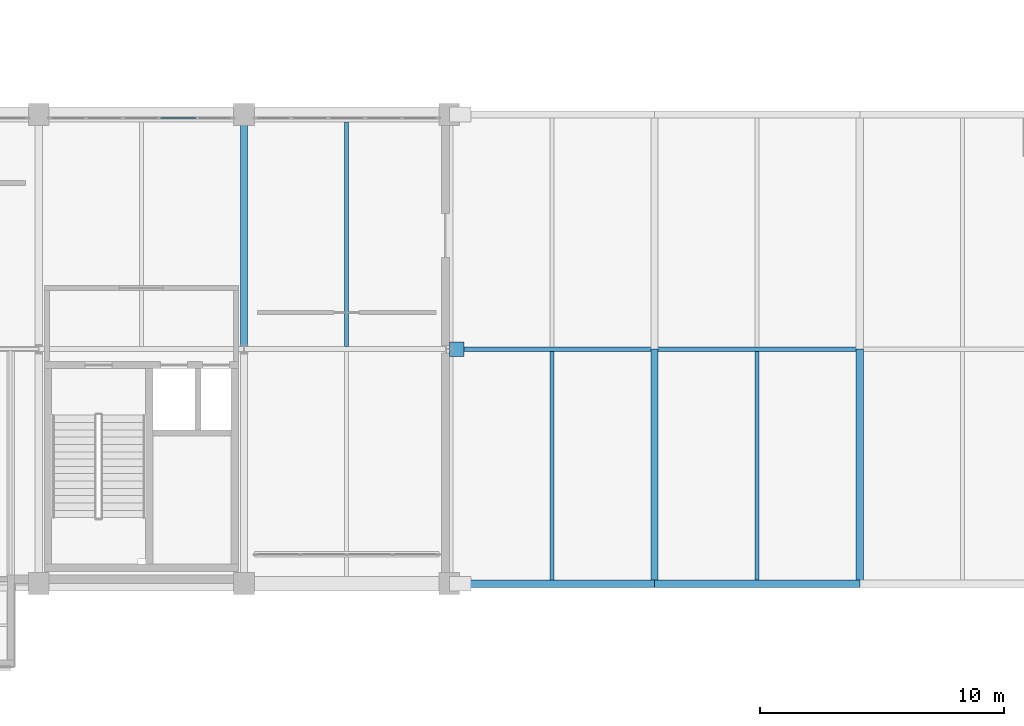
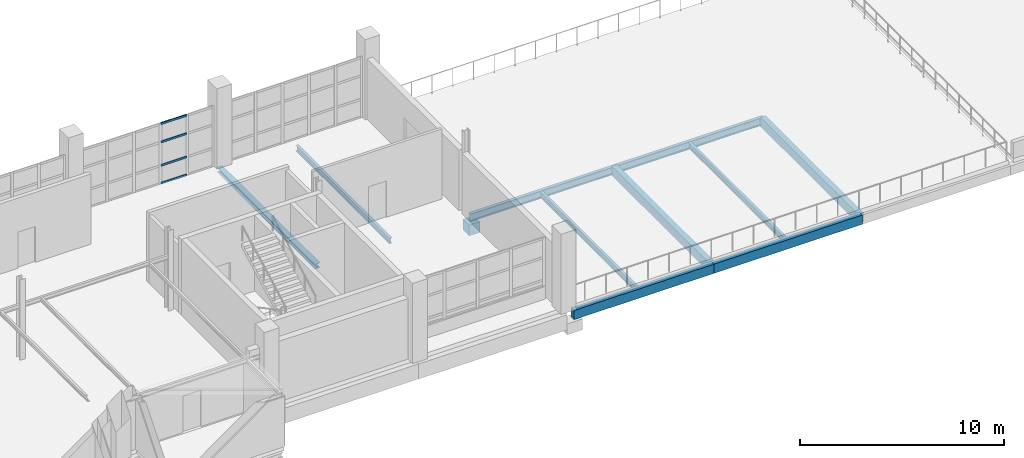
# One storey, part 17 of 29: 11 beams, 4 members, 1 element without a shape of its own.
"""IFC4 building model written with IfcOpenShell, lengths in metres."""

from ifc_helpers import new_model, si_unit, direction, frame, origin, origin_2d, place, context, subcontext, project, spatial, rectangle, hollow_rectangle, i_section, extrude, material, material_profile, profile_set, type_object, element, aggregate, save


model = new_model("IFC4")

# Units and contexts
model_context = context("Model", 3, precision=1e-05, world=origin(), true_north=direction((0.0, 1.0)))
body_context = subcontext(model_context, "Body", "Model", "MODEL_VIEW")
ifc_project = project(units=[si_unit("LENGTHUNIT", "METRE"), si_unit("AREAUNIT", "SQUARE_METRE"), si_unit("VOLUMEUNIT", "CUBIC_METRE"), si_unit("PLANEANGLEUNIT", "RADIAN"), si_unit("MASSUNIT", "GRAM", prefix="KILO")], contexts=[model_context])

# Site, building, storey
site_placement = place(None, origin())
site = spatial("IfcSite", under=ifc_project, at=site_placement, CompositionType="ELEMENT")
building_placement = place(site_placement, origin())
building = spatial("IfcBuilding", under=site, at=building_placement, Name="Veltarok Museum of Natural Sciences", CompositionType="ELEMENT")
storey_placement = place(building_placement, frame((0.0, 0.0, 26.39990234375)))
storey = spatial("IfcBuildingStorey", under=building, at=storey_placement, Name="L05", CompositionType="ELEMENT", Elevation=26.39990234375)

# Curtain wall, members
ifc_material_1 = material(Name="Low-iron triple insulated glass", Category="glass")
curtain_wall_type = type_object("IfcCurtainWallType", Name="Curtain Wall System CW-V1N-L05-755x362 (V1 North Overlook L05 755x362cm)", PredefinedType="NOTDEFINED", material=ifc_material_1)
curtain_wall_placement = place(storey_placement, origin())
curtain_wall = element("IfcCurtainWall", 1, at=curtain_wall_placement, inside=storey, type_object=curtain_wall_type, Name="Curtain Wall CW-V1N-L05-755x362 CW-0018", PredefinedType="NOTDEFINED")
ifc_material_2 = material(Name="Thermally broken anodised aluminium", Category="aluminium")
ifc_material_profile_1 = material_profile(ifc_material_2, hollow_rectangle(XDim=0.06005859375, YDim=0.1201171875, WallThickness=0.0048828125, at=origin_2d()), Name="CW TRANSOM 60x120x5")
ifc_profile_set_1 = profile_set([ifc_material_profile_1], Name="Thermally broken anodised aluminium")
member_type = type_object("IfcMemberType", Name="Curtain Wall Horizontal Transom 60x120x5", PredefinedType="USERDEFINED", material=ifc_profile_set_1)
member_1_placement = place(storey_placement, frame((96.8349609375, 19.050048828125, 0.030029296875), z_axis=(-1.0, 0.0, 0.0), x_axis=(0.0, -1.0, 0.0)))
member_1 = element("IfcMember", 2, at=member_1_placement, type_object=member_type, Name="CW-V1N-L05-755x362 transom 2.1", ObjectType="TRANSOM", PredefinedType="USERDEFINED", context=body_context, shape_type="SweptSolid", body=[
    extrude(hollow_rectangle(XDim=0.06005859375, YDim=0.1201171875, WallThickness=0.0048828125, at=origin_2d()), origin(), (0.0, 0.0, 1.0), 1.449951171875),
])
member_2_placement = place(storey_placement, frame((96.8349609375, 19.050048828125, 1.10009765625), z_axis=(-1.0, 0.0, 0.0), x_axis=(0.0, -1.0, 0.0)))
member_2 = element("IfcMember", 3, at=member_2_placement, type_object=member_type, Name="CW-V1N-L05-755x362 transom 2.2", ObjectType="TRANSOM", PredefinedType="USERDEFINED", context=body_context, shape_type="SweptSolid", body=[
    extrude(hollow_rectangle(XDim=0.06005859375, YDim=0.1201171875, WallThickness=0.0048828125, at=origin_2d()), origin(), (0.0, 0.0, 1.0), 1.449951171875),
])
member_3_placement = place(storey_placement, frame((96.8349609375, 19.050048828125, 2.5), z_axis=(-1.0, 0.0, 0.0), x_axis=(0.0, -1.0, 0.0)))
member_3 = element("IfcMember", 4, at=member_3_placement, type_object=member_type, Name="CW-V1N-L05-755x362 transom 2.3", ObjectType="TRANSOM", PredefinedType="USERDEFINED", context=body_context, shape_type="SweptSolid", body=[
    extrude(hollow_rectangle(XDim=0.06005859375, YDim=0.1201171875, WallThickness=0.0048828125, at=origin_2d()), origin(), (0.0, 0.0, 1.0), 1.449951171875),
])
member_4_placement = place(storey_placement, frame((96.8349609375, 19.050048828125, 3.590087890625), z_axis=(-1.0, 0.0, 0.0), x_axis=(0.0, -1.0, 0.0)))
member_4 = element("IfcMember", 5, at=member_4_placement, type_object=member_type, Name="CW-V1N-L05-755x362 transom 2.4", ObjectType="TRANSOM", PredefinedType="USERDEFINED", context=body_context, shape_type="SweptSolid", body=[
    extrude(hollow_rectangle(XDim=0.06005859375, YDim=0.1201171875, WallThickness=0.0048828125, at=origin_2d()), origin(), (0.0, 0.0, 1.0), 1.449951171875),
])
aggregate(curtain_wall, [member_1, member_2, member_3, member_4])

# Beams
ifc_material_3 = material(Name="Precast concrete C40/50", Category="concrete")
ifc_material_profile_2 = material_profile(ifc_material_3, rectangle(XDim=0.300048828125, YDim=0.550048828125, at=origin_2d()), Name="RC 300x550")
ifc_profile_set_2 = profile_set([ifc_material_profile_2], Name="Precast concrete C40/50")
beam_type_1 = type_object("IfcBeamType", Name="East Wing Precast Spandrel RC 300x550", PredefinedType="SPANDREL", material=ifc_profile_set_2)
beam_1_placement = place(storey_placement, frame((107.675048828125, 0.0, -0.534912109375), z_axis=(1.0, 0.0, 0.0), x_axis=(0.0, 1.0, 0.0)))
element("IfcBeam", 6, at=beam_1_placement, inside=storey, type_object=beam_type_1, Name="Beam BM-SP02 L05 13-14/A", PredefinedType="SPANDREL", context=body_context, shape_type="SweptSolid", body=[
    extrude(rectangle(XDim=0.300048828125, YDim=0.550048828125, at=origin_2d()), origin(), (0.0, 0.0, 1.0), 7.925048828125),
])
beam_2_placement = place(storey_placement, frame((115.60009765625, 0.0, -0.534912109375), z_axis=(1.0, 0.0, 0.0), x_axis=(0.0, 1.0, 0.0)))
element("IfcBeam", 7, at=beam_2_placement, inside=storey, type_object=beam_type_1, Name="Beam BM-SP02 L05 14-15/A", PredefinedType="SPANDREL", context=body_context, shape_type="SweptSolid", body=[
    extrude(rectangle(XDim=0.300048828125, YDim=0.550048828125, at=origin_2d()), origin(), (0.0, 0.0, 1.0), 8.39990234375),
])
for number, where, z_axis, x_axis, name in (
    (8, (115.60009765625, 0.0, -0.534912109375), (0.0, 1.0, 0.0), (-1.0, 0.0, 0.0), "Beam BM-SP02 L05 14/A-B"),
    (9, (124.0, 0.0, -0.534912109375), (0.0, 1.0, 0.0), (-1.0, 0.0, 0.0), "Beam BM-SP02 L05 15/A-B"),
):
    element("IfcBeam", number, at=place(storey_placement, frame(where, z_axis=z_axis, x_axis=x_axis)), inside=storey, type_object=beam_type_1, Name=name, PredefinedType="SPANDREL", context=body_context, shape_type="SweptSolid", body=[
        extrude(rectangle(XDim=0.300048828125, YDim=0.550048828125, at=origin_2d()), origin(), (0.0, 0.0, 1.0), 9.60009765625),
    ])
ifc_material_4 = material(Name="Steel S355J2", Category="steel")
ifc_material_profile_3 = material_profile(ifc_material_4, i_section(OverallWidth=0.300048828125, OverallDepth=0.2900390625, WebThickness=0.008544921875, FlangeThickness=0.013916015625, FilletRadius=0.027099609375, at=origin_2d()), Name="HEA 300")
ifc_profile_set_3 = profile_set([ifc_material_profile_3], Name="Steel S355J2")
beam_type_2 = type_object("IfcBeamType", Name="Glazed Hall Edge Spandrel HEA 300", PredefinedType="SPANDREL", material=ifc_profile_set_3)
beam_3_placement = place(storey_placement, frame((98.800048828125, 9.60009765625, -0.39501953125), z_axis=(0.0, 1.0, 0.0), x_axis=(-1.0, 0.0, 0.0)))
element("IfcBeam", 10, at=beam_3_placement, inside=storey, type_object=beam_type_2, Name="Beam BM-SP03 L05 12/B-C", PredefinedType="SPANDREL", context=body_context, shape_type="SweptSolid", body=[
    extrude(i_section(OverallWidth=0.300048828125, OverallDepth=0.2900390625, WebThickness=0.008544921875, FlangeThickness=0.013916015625, FilletRadius=0.027099609375, at=origin_2d()), origin(), (0.0, 0.0, 1.0), 9.599853515625),
])
ifc_material_profile_4 = material_profile(ifc_material_4, i_section(OverallWidth=0.18994140625, OverallDepth=0.449951171875, WebThickness=0.009521484375, FlangeThickness=0.0146484375, FilletRadius=0.02099609375, at=origin_2d()), Name="IPE 450")
ifc_profile_set_4 = profile_set([ifc_material_profile_4], Name="Steel S355J2")
beam_type_3 = type_object("IfcBeamType", Name="Laboratory Floor Girder IPE 450", PredefinedType="BEAM", material=ifc_profile_set_4)
beam_4_placement = place(storey_placement, frame((107.39990234375, 9.60009765625, -0.48486328125), z_axis=(1.0, 0.0, 0.0), x_axis=(0.0, 1.0, 0.0)))
element("IfcBeam", 11, at=beam_4_placement, inside=storey, type_object=beam_type_3, Name="Beam BM-G05 L05 13-14/B", PredefinedType="BEAM", context=body_context, shape_type="SweptSolid", body=[
    extrude(i_section(OverallWidth=0.18994140625, OverallDepth=0.449951171875, WebThickness=0.009521484375, FlangeThickness=0.0146484375, FilletRadius=0.02099609375, at=origin_2d()), origin(), (0.0, 0.0, 1.0), 8.2001953125),
])
beam_5_placement = place(storey_placement, frame((115.60009765625, 9.60009765625, -0.48486328125), z_axis=(1.0, 0.0, 0.0), x_axis=(0.0, 1.0, 0.0)))
element("IfcBeam", 12, at=beam_5_placement, inside=storey, type_object=beam_type_3, Name="Beam BM-G05 L05 14-15/B", PredefinedType="BEAM", context=body_context, shape_type="SweptSolid", body=[
    extrude(i_section(OverallWidth=0.18994140625, OverallDepth=0.449951171875, WebThickness=0.009521484375, FlangeThickness=0.0146484375, FilletRadius=0.02099609375, at=origin_2d()), origin(), (0.0, 0.0, 1.0), 8.39990234375),
])
ifc_material_profile_5 = material_profile(ifc_material_4, i_section(OverallWidth=0.159912109375, OverallDepth=0.330078125, WebThickness=0.007568359375, FlangeThickness=0.011474609375, FilletRadius=0.01806640625, at=origin_2d()), Name="IPE 330")
ifc_profile_set_5 = profile_set([ifc_material_profile_5], Name="Steel S355J2")
beam_type_4 = type_object("IfcBeamType", Name="Medium-Bay Composite Joist IPE 330", PredefinedType="JOIST", material=ifc_profile_set_5)
beam_6_placement = place(storey_placement, frame((103.0, 9.697998046875, -0.414794921875), z_axis=(0.0, 1.0, 0.0), x_axis=(-1.0, 0.0, 0.0)))
element("IfcBeam", 13, at=beam_6_placement, inside=storey, type_object=beam_type_4, Name="Secondary Joist BM-J02 L05 12-13/B-C.1", PredefinedType="JOIST", context=body_context, shape_type="SweptSolid", body=[
    extrude(i_section(OverallWidth=0.159912109375, OverallDepth=0.330078125, WebThickness=0.007568359375, FlangeThickness=0.011474609375, FilletRadius=0.01806640625, at=origin_2d()), origin(), (0.0, 0.0, 1.0), 9.2041015625),
])
for number, where, z_axis, x_axis, name in (
    (14, (111.39990234375, 0.14794921875, -0.4248046875), (0.0, 1.0, 0.0), (-1.0, 0.0, 0.0), "Secondary Joist BM-J02 L05 13-14/A-B.1"),
    (15, (119.800048828125, 0.14794921875, -0.4248046875), (0.0, 1.0, 0.0), (-1.0, 0.0, 0.0), "Secondary Joist BM-J02 L05 14-15/A-B.1"),
):
    element("IfcBeam", number, at=place(storey_placement, frame(where, z_axis=z_axis, x_axis=x_axis)), inside=storey, type_object=beam_type_4, Name=name, PredefinedType="JOIST", context=body_context, shape_type="SweptSolid", body=[
        extrude(i_section(OverallWidth=0.159912109375, OverallDepth=0.330078125, WebThickness=0.007568359375, FlangeThickness=0.011474609375, FilletRadius=0.01806640625, at=origin_2d()), origin(), (0.0, 0.0, 1.0), 9.359130859375),
    ])
ifc_material_5 = material(Name="Concrete C40/50", Category="concrete")
ifc_material_profile_6 = material_profile(ifc_material_5, rectangle(XDim=0.60009765625, YDim=0.64990234375, at=origin_2d()), Name="RC 600x650")
ifc_profile_set_6 = profile_set([ifc_material_profile_6], Name="Concrete C40/50")
beam_type_5 = type_object("IfcBeamType", Name="Movement Joint Sliding Corbel RC 600x650", PredefinedType="BEAM", material=ifc_profile_set_6)
beam_7_placement = place(storey_placement, frame((107.199951171875, 9.60009765625, -1.034912109375), z_axis=(1.0, 0.0, 0.0), x_axis=(0.0, 1.0, 0.0)))
element("IfcBeam", 16, at=beam_7_placement, inside=storey, type_object=beam_type_5, Name="Movement Joint Corbel L05 13/B", PredefinedType="BEAM", context=body_context, shape_type="SweptSolid", body=[
    extrude(rectangle(XDim=0.60009765625, YDim=0.64990234375, at=origin_2d()), origin(), (0.0, 0.0, 1.0), 0.610107421875),
])

save(model, "model.ifc")
